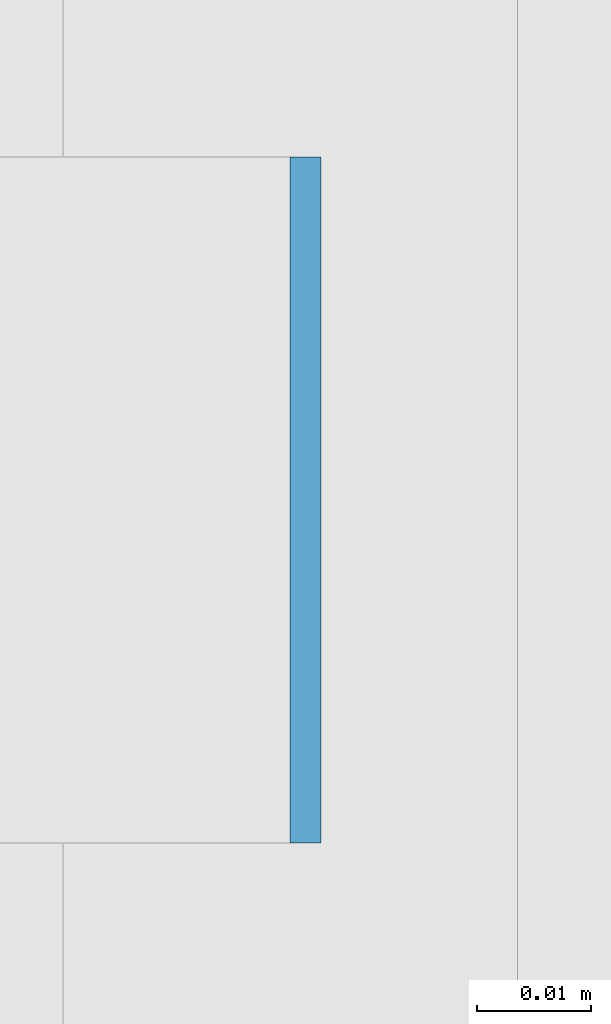
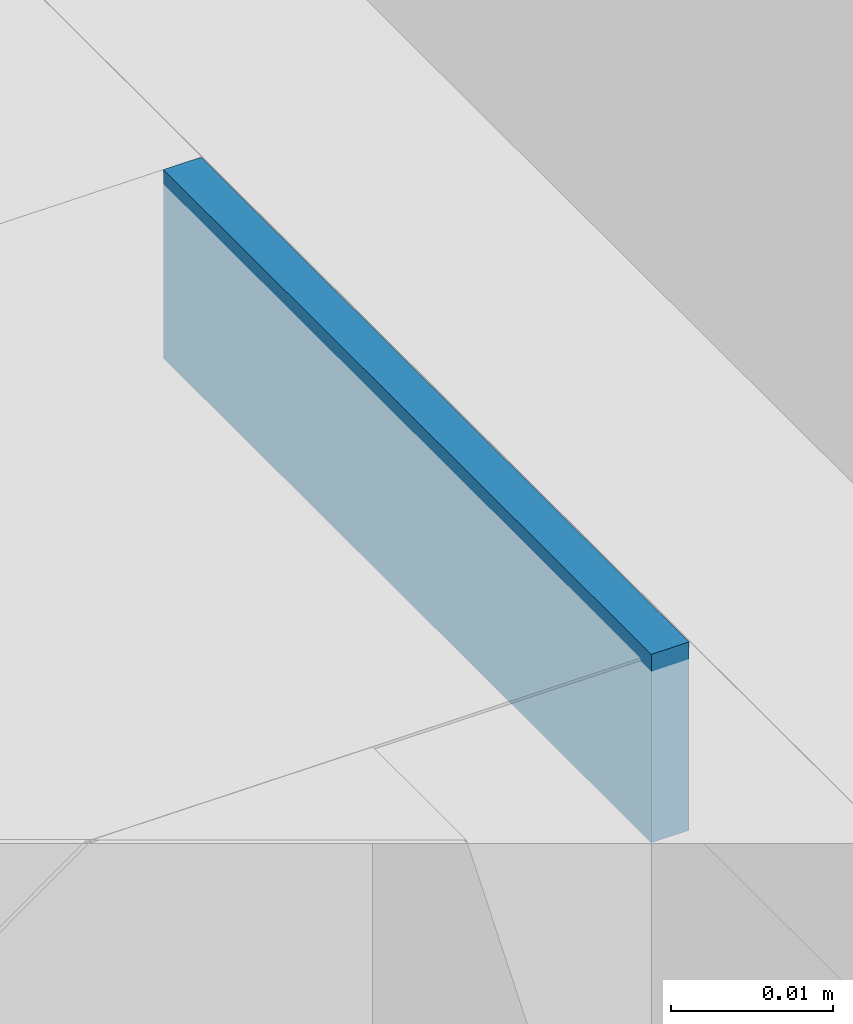
# One storey, part 369 of 646: 1 discrete accessory.
"""IFC4 building model written with IfcOpenShell, lengths in metres."""

from ifc_helpers import new_model, si_unit, direction, frame, origin, origin_2d, place, context, subcontext, project, spatial, rectangle, extrude, material, type_object, element, save


model = new_model("IFC4")

# Units and contexts
model_context = context("Model", 3, precision=1e-05, world=origin(), true_north=direction((0.0, 1.0)))
body_context = subcontext(model_context, "Body", "Model", "MODEL_VIEW")
ifc_project = project(units=[si_unit("LENGTHUNIT", "METRE"), si_unit("AREAUNIT", "SQUARE_METRE"), si_unit("VOLUMEUNIT", "CUBIC_METRE"), si_unit("PLANEANGLEUNIT", "RADIAN"), si_unit("MASSUNIT", "GRAM", prefix="KILO")], contexts=[model_context])

# Site, building, storey
site_placement = place(None, origin())
site = spatial("IfcSite", under=ifc_project, at=site_placement, CompositionType="ELEMENT")
building_placement = place(site_placement, origin())
building = spatial("IfcBuilding", under=site, at=building_placement, Name="Silverbay Arena", CompositionType="ELEMENT")
storey_placement = place(building_placement, frame((0.0, 0.0, 33.5)))
storey = spatial("IfcBuildingStorey", under=building, at=storey_placement, Name="L05", CompositionType="ELEMENT", Elevation=33.5)

# Discrete accessory
ifc_material = material(Name="Steel S355", Category="steel")
discrete_accessory_type = type_object("IfcDiscreteAccessoryType", Name="Steel bracket plate", PredefinedType="BRACKET", material=ifc_material)
discrete_accessory_placement = place(storey_placement, frame((53.871337890625, 101.571533203125, 12.98583984375), z_axis=(0.0, 0.0, 1.0), x_axis=(1.0, 0.0, 0.0)))
element("IfcDiscreteAccessory", 1, at=discrete_accessory_placement, inside=storey, type_object=discrete_accessory_type, Name="Curtain wall packing plate", PredefinedType="BRACKET", context=body_context, shape_type="SweptSolid", body=[
    extrude(rectangle(XDim=0.002685546875, YDim=0.06005859375, at=origin_2d()), origin(), (0.0, 0.0, 1.0), 0.01416015625),
])

save(model, "model.ifc")
